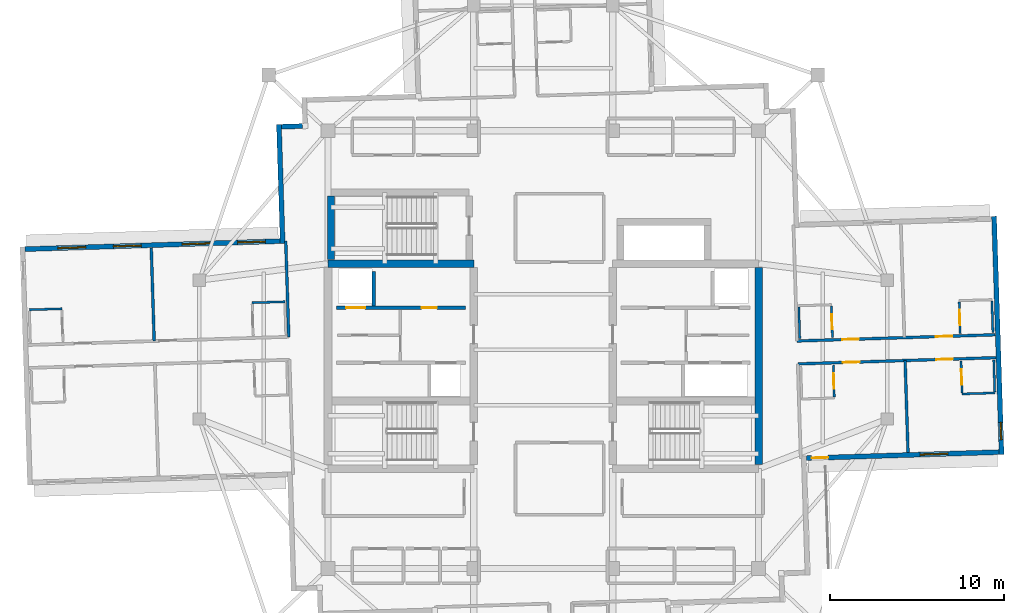
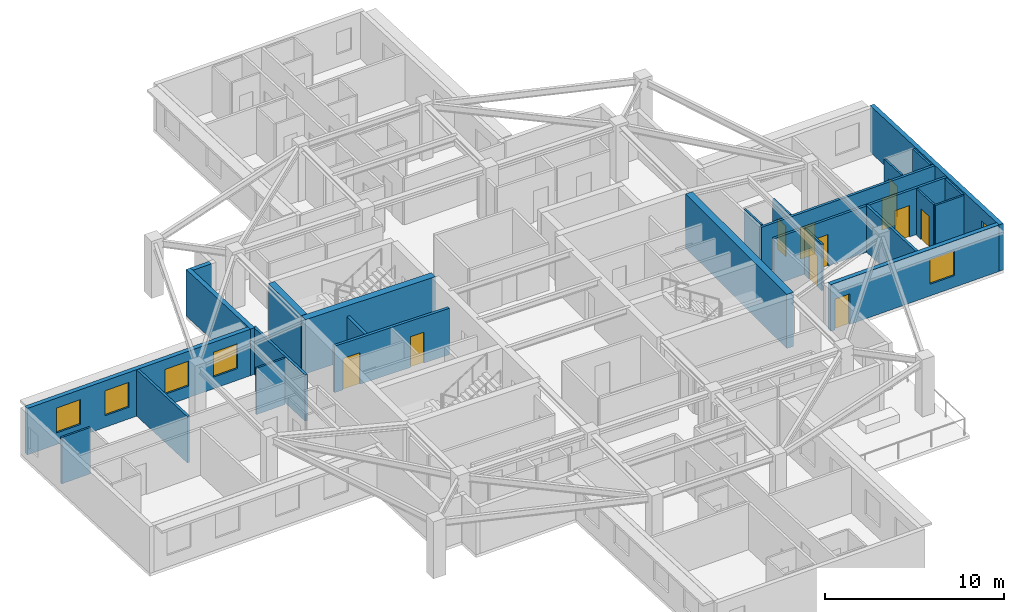
# One storey, part 6 of 13: 25 walls, 11 doors, 6 windows, 17 openings.
"""IFC4 building model written with IfcOpenShell, lengths in metres."""

from ifc_helpers import new_model, si_unit, direction, frame, frame_2d, origin, place, context, subcontext, project, spatial, rectangle, extrude, material, layer, layer_set, type_object, element, fill, save


model = new_model("IFC4")

# Units and contexts
model_context = context("Model", 3, precision=1e-05, world=origin(), true_north=direction((0.0, 1.0)))
body_context = subcontext(model_context, "Body", "Model", "MODEL_VIEW")
ifc_project = project(units=[si_unit("LENGTHUNIT", "METRE"), si_unit("AREAUNIT", "SQUARE_METRE"), si_unit("VOLUMEUNIT", "CUBIC_METRE"), si_unit("PLANEANGLEUNIT", "RADIAN"), si_unit("MASSUNIT", "GRAM", prefix="KILO")], contexts=[model_context])

# Site, building, storey
site_placement = place(None, origin())
site = spatial("IfcSite", under=ifc_project, at=site_placement, CompositionType="ELEMENT")
building_placement = place(site_placement, origin())
building = spatial("IfcBuilding", under=site, at=building_placement, Name="Qingluan Cross Belvedere", CompositionType="ELEMENT")
storey_placement = place(building_placement, frame((0.0, 0.0, 273.300048828125)))
storey = spatial("IfcBuildingStorey", under=building, at=storey_placement, Name="L68", CompositionType="ELEMENT", Elevation=273.300048828125)

# Walls
ifc_material_1 = material(Name="Concrete C50", Category="concrete")
ifc_layer_1 = layer(ifc_material_1, 0.449951171875, Name="CoreShearWall_450")
ifc_layer_set_1 = layer_set([ifc_layer_1], Name="Concrete C50")
wall_type_1 = type_object("IfcWallType", Name="CoreShearWall_450", PredefinedType="SHEAR", material=ifc_layer_set_1)
wall_1_placement = place(storey_placement, frame((-12.39990234375, 4.949951171875, 0.0), z_axis=(0.0, 0.0, 1.0), x_axis=(1.0, 0.0, 0.0)))
element("IfcWall", 1, at=wall_1_placement, inside=storey, type_object=wall_type_1, Name="Split core W shear wall L68-N", PredefinedType="SHEAR", context=body_context, shape_type="SweptSolid", body=[
    extrude(rectangle(XDim=8.39990234375, YDim=0.449951171875, at=frame_2d((4.199951171875, 0.0))), origin(), (0.0, 0.0, 1.0), 3.699951171875),
])
wall_2_placement = place(storey_placement, frame((12.39990234375, -6.6201171875, 0.0), z_axis=(0.0, 0.0, 1.0), x_axis=(0.0, 1.0, 0.0)))
element("IfcWall", 2, at=wall_2_placement, inside=storey, type_object=wall_type_1, Name="Split core E shear wall L68-E", PredefinedType="SHEAR", context=body_context, shape_type="SweptSolid", body=[
    extrude(rectangle(XDim=11.340087890625, YDim=0.449951171875, at=frame_2d((5.669921875, 0.0))), origin(), (0.0, 0.0, 1.0), 3.699951171875),
])
wall_3_placement = place(storey_placement, frame((-12.219970703125, 5.179931640625, 0.0), z_axis=(0.0, 0.0, 1.0), x_axis=(0.0, 1.0, 0.0)))
element("IfcWall", 3, at=wall_3_placement, inside=storey, type_object=wall_type_1, Name="Stair ST3 structural wall W L68", PredefinedType="SHEAR", context=body_context, shape_type="SweptSolid", body=[
    extrude(rectangle(XDim=3.655029296875, YDim=0.39990234375, at=frame_2d((1.82763671875, 0.0))), origin(), (0.0, 0.0, 1.0), 3.699951171875),
])

# Wall, openings, doors
ifc_material_2 = material(Name="Gypsum plasterboard on steel stud acoustic partition", Category="steel")
ifc_layer_2 = layer(ifc_material_2, 0.159912109375, Name="CorridorPartition_160")
ifc_layer_set_2 = layer_set([ifc_layer_2], Name="Gypsum plasterboard on steel stud acoustic partition")
wall_type_2 = type_object("IfcWallType", Name="CorridorPartition_160", PredefinedType="PARTITIONING", material=ifc_layer_set_2)
wall_4_placement = place(storey_placement, frame((14.611572265625, 0.499267578125, 0.0), z_axis=(0.0, 0.0, 1.0), x_axis=(0.999506718293, 0.031405733357, 0.0)))
wall_4 = element("IfcWall", 4, at=wall_4_placement, inside=storey, type_object=wall_type_2, Name="Partition L68:E:c0", PredefinedType="PARTITIONING", context=body_context, shape_type="SweptSolid", body=[
    extrude(rectangle(XDim=11.411865234375, YDim=0.159912109375, at=frame_2d((5.7060546875, 0.0))), origin(), (0.0, 0.0, 1.0), 3.169921875),
])
opening_1_placement = place(wall_4_placement, frame((2.597900390625, 0.0, 0.0)))
opening_1 = element("IfcOpeningElement", 5, at=opening_1_placement, cuts=wall_4, Name="Opening GD-10", PredefinedType="OPENING", context=body_context, shape_type="SweptSolid", body=[
    extrude(rectangle(XDim=0.9599609375, YDim=2.14990234375, at=frame_2d((0.47998046875, 1.074951171875))), frame((0.0, 0.08984375, 0.0), z_axis=(0.0, -1.0, 0.0), x_axis=(1.0, 0.0, 0.0)), (0.0, 0.0, 1.0), 0.179931640625),
])
opening_2_placement = place(wall_4_placement, frame((7.97412109375, 0.0, 0.0)))
opening_2 = element("IfcOpeningElement", 6, at=opening_2_placement, cuts=wall_4, Name="Opening GD-10", PredefinedType="OPENING", context=body_context, shape_type="SweptSolid", body=[
    extrude(rectangle(XDim=0.9599609375, YDim=2.14990234375, at=frame_2d((0.47998046875, 1.074951171875))), frame((0.0, 0.08984375, 0.0), z_axis=(0.0, -1.0, 0.0), x_axis=(1.0, 0.0, 0.0)), (0.0, 0.0, 1.0), 0.179931640625),
])
ifc_material_3 = material(Name="Timber oak fire-rated acoustic guestroom door", Category="wood")
door_type_1 = type_object("IfcDoorType", Name="GuestEntryDoor_FD60", OperationType="NOTDEFINED", PredefinedType="DOOR", material=ifc_material_3)
door_1_placement = place(opening_1_placement, origin())
door_1 = element("IfcDoor", 7, at=door_1_placement, inside=storey, type_object=door_type_1, Name="Guest entry fire door 6801", OperationType="SINGLE_SWING_LEFT", OverallHeight=2.14990234375, OverallWidth=0.9599609375, PredefinedType="DOOR", context=body_context, shape_type="SweptSolid", body=[
    extrude(rectangle(XDim=0.9599609375, YDim=2.14990234375, at=frame_2d((0.47998046875, 1.074951171875))), frame((0.0, 0.02490234375, 0.0), z_axis=(0.0, -1.0, 0.0), x_axis=(1.0, 0.0, 0.0)), (0.0, 0.0, 1.0), 0.050048828125),
])
fill(opening_1, door_1)
door_2_placement = place(opening_2_placement, origin())
door_2 = element("IfcDoor", 8, at=door_2_placement, inside=storey, type_object=door_type_1, Name="Guest entry fire door 6802", OperationType="SINGLE_SWING_LEFT", OverallHeight=2.14990234375, OverallWidth=0.9599609375, PredefinedType="DOOR", context=body_context, shape_type="SweptSolid", body=[
    extrude(rectangle(XDim=0.9599609375, YDim=2.14990234375, at=frame_2d((0.47998046875, 1.074951171875))), frame((0.0, 0.02490234375, 0.0), z_axis=(0.0, -1.0, 0.0), x_axis=(1.0, 0.0, 0.0)), (0.0, 0.0, 1.0), 0.050048828125),
])
fill(opening_2, door_2)

wall_5_placement = place(storey_placement, frame((14.653076171875, -0.820068359375, 0.0), z_axis=(0.0, 0.0, 1.0), x_axis=(0.999506718293, 0.031405733357, 0.0)))
wall_5 = element("IfcWall", 9, at=wall_5_placement, inside=storey, type_object=wall_type_2, Name="Partition L68:E:c1", PredefinedType="PARTITIONING", context=body_context, shape_type="SweptSolid", body=[
    extrude(rectangle(XDim=11.411865234375, YDim=0.159912109375, at=frame_2d((5.7060546875, 0.0))), origin(), (0.0, 0.0, 1.0), 3.169921875),
])
opening_3_placement = place(wall_5_placement, frame((2.597900390625, 0.0, 0.0)))
opening_3 = element("IfcOpeningElement", 10, at=opening_3_placement, cuts=wall_5, Name="Opening GD-10", PredefinedType="OPENING", context=body_context, shape_type="SweptSolid", body=[
    extrude(rectangle(XDim=0.9599609375, YDim=2.14990234375, at=frame_2d((0.47998046875, 1.074951171875))), frame((0.0, 0.08984375, 0.0), z_axis=(0.0, -1.0, 0.0), x_axis=(1.0, 0.0, 0.0)), (0.0, 0.0, 1.0), 0.179931640625),
])
opening_4_placement = place(wall_5_placement, frame((7.97412109375, 0.0, 0.0)))
opening_4 = element("IfcOpeningElement", 11, at=opening_4_placement, cuts=wall_5, Name="Opening GD-10", PredefinedType="OPENING", context=body_context, shape_type="SweptSolid", body=[
    extrude(rectangle(XDim=0.9599609375, YDim=2.14990234375, at=frame_2d((0.47998046875, 1.074951171875))), frame((0.0, 0.08984375, 0.0), z_axis=(0.0, -1.0, 0.0), x_axis=(1.0, 0.0, 0.0)), (0.0, 0.0, 1.0), 0.179931640625),
])
door_3_placement = place(opening_3_placement, origin())
door_3 = element("IfcDoor", 12, at=door_3_placement, inside=storey, type_object=door_type_1, Name="Guest entry fire door 6803", OperationType="SINGLE_SWING_LEFT", OverallHeight=2.14990234375, OverallWidth=0.9599609375, PredefinedType="DOOR", context=body_context, shape_type="SweptSolid", body=[
    extrude(rectangle(XDim=0.9599609375, YDim=2.14990234375, at=frame_2d((0.47998046875, 1.074951171875))), frame((0.0, 0.02490234375, 0.0), z_axis=(0.0, -1.0, 0.0), x_axis=(1.0, 0.0, 0.0)), (0.0, 0.0, 1.0), 0.050048828125),
])
fill(opening_3, door_3)
door_4_placement = place(opening_4_placement, origin())
door_4 = element("IfcDoor", 13, at=door_4_placement, inside=storey, type_object=door_type_1, Name="Guest entry fire door 6804", OperationType="SINGLE_SWING_LEFT", OverallHeight=2.14990234375, OverallWidth=0.9599609375, PredefinedType="DOOR", context=body_context, shape_type="SweptSolid", body=[
    extrude(rectangle(XDim=0.9599609375, YDim=2.14990234375, at=frame_2d((0.47998046875, 1.074951171875))), frame((0.0, 0.02490234375, 0.0), z_axis=(0.0, -1.0, 0.0), x_axis=(1.0, 0.0, 0.0)), (0.0, 0.0, 1.0), 0.050048828125),
])
fill(opening_4, door_4)

# Walls
wall_6_placement = place(storey_placement, frame((20.829833984375, -0.6259765625, 0.0), z_axis=(0.0, 0.0, 1.0), x_axis=(0.03141766996, -0.999506343159, 0.0)))
element("IfcWall", 14, at=wall_6_placement, inside=storey, type_object=wall_type_2, Name="Partition L68:E:d1_0", PredefinedType="PARTITIONING", context=body_context, shape_type="SweptSolid", body=[
    extrude(rectangle(XDim=5.2919921875, YDim=0.159912109375, at=frame_2d((2.64599609375, 0.0))), origin(), (0.0, 0.0, 1.0), 3.169921875),
])
wall_7_placement = place(storey_placement, frame((-14.650390625, 0.740234375, 0.0), z_axis=(0.0, 0.0, 1.0), x_axis=(-0.031446009838, 0.999505451944, 0.0)))
element("IfcWall", 15, at=wall_7_placement, inside=storey, type_object=wall_type_2, Name="Partition L68:W:s0", PredefinedType="PARTITIONING", context=body_context, shape_type="SweptSolid", body=[
    extrude(rectangle(XDim=5.52001953125, YDim=0.159912109375, at=frame_2d((2.760009765625, 0.0))), origin(), (0.0, 0.0, 1.0), 3.169921875),
])
wall_8_placement = place(storey_placement, frame((-22.396728515625, 0.49658203125, 0.0), z_axis=(0.0, 0.0, 1.0), x_axis=(-0.031402165127, 0.999506830405, 0.0)))
element("IfcWall", 16, at=wall_8_placement, inside=storey, type_object=wall_type_2, Name="Partition L68:W:d0_0", PredefinedType="PARTITIONING", context=body_context, shape_type="SweptSolid", body=[
    extrude(rectangle(XDim=5.372314453125, YDim=0.159912109375, at=frame_2d((2.68603515625, 0.0))), origin(), (0.0, 0.0, 1.0), 3.169921875),
])

# Wall, opening, door
ifc_material_4 = material(Name="Moisture-resistant gypsum board lining")
ifc_layer_3 = layer(ifc_material_4, 0.1201171875, Name="EnsuiteWetPartition_120")
ifc_layer_set_3 = layer_set([ifc_layer_3], Name="Moisture-resistant gypsum board lining")
wall_type_3 = type_object("IfcWallType", Name="EnsuiteWetPartition_120", PredefinedType="PARTITIONING", material=ifc_layer_set_3)
wall_9_placement = place(storey_placement, frame((16.64599609375, 0.703125, 0.0), z_axis=(0.0, 0.0, 1.0), x_axis=(-0.031255692016, 0.999511421504, 0.0)))
wall_9 = element("IfcWall", 17, at=wall_9_placement, inside=storey, type_object=wall_type_3, Name="Partition L68:E:bs0_0", PredefinedType="PARTITIONING", context=body_context, shape_type="SweptSolid", body=[
    extrude(rectangle(XDim=1.820068359375, YDim=0.1201171875, at=frame_2d((0.91015625, 0.0))), origin(), (0.0, 0.0, 1.0), 3.169921875),
])
opening_5_placement = place(wall_9_placement, frame((0.469970703125, 0.0, 0.0)))
opening_5 = element("IfcOpeningElement", 18, at=opening_5_placement, cuts=wall_9, Name="Opening BD-09", PredefinedType="OPENING", context=body_context, shape_type="SweptSolid", body=[
    extrude(rectangle(XDim=0.8798828125, YDim=2.10009765625, at=frame_2d((0.43994140625, 1.050048828125))), frame((0.0, 0.070068359375, 0.0), z_axis=(0.0, -1.0, 0.0), x_axis=(1.0, 0.0, 0.0)), (0.0, 0.0, 1.0), 0.14013671875),
])
ifc_material_5 = material(Name="Moisture-sealed timber en-suite door", Category="wood")
door_type_2 = type_object("IfcDoorType", Name="BathroomDoor_880", OperationType="NOTDEFINED", PredefinedType="DOOR", material=ifc_material_5)
door_5_placement = place(opening_5_placement, origin())
door_5 = element("IfcDoor", 19, at=door_5_placement, inside=storey, type_object=door_type_2, Name="Bathroom door 6801", OperationType="SINGLE_SWING_RIGHT", OverallHeight=2.10009765625, OverallWidth=0.8798828125, PredefinedType="DOOR", context=body_context, shape_type="SweptSolid", body=[
    extrude(rectangle(XDim=0.8798828125, YDim=2.10009765625, at=frame_2d((0.43994140625, 1.050048828125))), frame((0.0, 0.02490234375, 0.0), z_axis=(0.0, -1.0, 0.0), x_axis=(1.0, 0.0, 0.0)), (0.0, 0.0, 1.0), 0.050048828125),
])
fill(opening_5, door_5)

# Wall
wall_10_placement = place(storey_placement, frame((14.76708984375, 0.644287109375, 0.0), z_axis=(0.0, 0.0, 1.0), x_axis=(-0.031389704724, 0.999507221803, 0.0)))
element("IfcWall", 20, at=wall_10_placement, inside=storey, type_object=wall_type_3, Name="Partition L68:E:bw0_0", PredefinedType="PARTITIONING", context=body_context, shape_type="SweptSolid", body=[
    extrude(rectangle(XDim=1.820068359375, YDim=0.1201171875, at=frame_2d((0.91015625, 0.0))), origin(), (0.0, 0.0, 1.0), 3.169921875),
])

# Wall, opening, door
wall_11_placement = place(storey_placement, frame((24.00244140625, 0.934326171875, 0.0), z_axis=(0.0, 0.0, 1.0), x_axis=(-0.031389704724, 0.999507221803, 0.0)))
wall_11 = element("IfcWall", 21, at=wall_11_placement, inside=storey, type_object=wall_type_3, Name="Partition L68:E:bs0_1", PredefinedType="PARTITIONING", context=body_context, shape_type="SweptSolid", body=[
    extrude(rectangle(XDim=1.820068359375, YDim=0.1201171875, at=frame_2d((0.91015625, 0.0))), origin(), (0.0, 0.0, 1.0), 3.169921875),
])
opening_6_placement = place(wall_11_placement, frame((0.469970703125, 0.0, 0.0)))
opening_6 = element("IfcOpeningElement", 22, at=opening_6_placement, cuts=wall_11, Name="Opening BD-09", PredefinedType="OPENING", context=body_context, shape_type="SweptSolid", body=[
    extrude(rectangle(XDim=0.8798828125, YDim=2.10009765625, at=frame_2d((0.43994140625, 1.050048828125))), frame((0.0, 0.070068359375, 0.0), z_axis=(0.0, -1.0, 0.0), x_axis=(1.0, 0.0, 0.0)), (0.0, 0.0, 1.0), 0.14013671875),
])
door_6_placement = place(opening_6_placement, origin())
door_6 = element("IfcDoor", 23, at=door_6_placement, inside=storey, type_object=door_type_2, Name="Bathroom door 6802", OperationType="SINGLE_SWING_RIGHT", OverallHeight=2.10009765625, OverallWidth=0.8798828125, PredefinedType="DOOR", context=body_context, shape_type="SweptSolid", body=[
    extrude(rectangle(XDim=0.8798828125, YDim=2.10009765625, at=frame_2d((0.43994140625, 1.050048828125))), frame((0.0, 0.02490234375, 0.0), z_axis=(0.0, -1.0, 0.0), x_axis=(1.0, 0.0, 0.0)), (0.0, 0.0, 1.0), 0.050048828125),
])
fill(opening_6, door_6)

# Wall
wall_12_placement = place(storey_placement, frame((25.881591796875, 0.993408203125, 0.0), z_axis=(0.0, 0.0, 1.0), x_axis=(-0.031389704724, 0.999507221803, 0.0)))
element("IfcWall", 24, at=wall_12_placement, inside=storey, type_object=wall_type_3, Name="Partition L68:E:bw0_1", PredefinedType="PARTITIONING", context=body_context, shape_type="SweptSolid", body=[
    extrude(rectangle(XDim=1.820068359375, YDim=0.1201171875, at=frame_2d((0.91015625, 0.0))), origin(), (0.0, 0.0, 1.0), 3.169921875),
])

# Wall, opening, door
wall_13_placement = place(storey_placement, frame((16.753662109375, -2.715087890625, 0.0), z_axis=(0.0, 0.0, 1.0), x_axis=(-0.03152371574, 0.999503004171, 0.0)))
wall_13 = element("IfcWall", 25, at=wall_13_placement, inside=storey, type_object=wall_type_3, Name="Partition L68:E:bs1_0", PredefinedType="PARTITIONING", context=body_context, shape_type="SweptSolid", body=[
    extrude(rectangle(XDim=1.820068359375, YDim=0.1201171875, at=frame_2d((0.91015625, 0.0))), origin(), (0.0, 0.0, 1.0), 3.169921875),
])
opening_7_placement = place(wall_13_placement, frame((0.469970703125, 0.0, 0.0)))
opening_7 = element("IfcOpeningElement", 26, at=opening_7_placement, cuts=wall_13, Name="Opening BD-09", PredefinedType="OPENING", context=body_context, shape_type="SweptSolid", body=[
    extrude(rectangle(XDim=0.8798828125, YDim=2.10009765625, at=frame_2d((0.43994140625, 1.050048828125))), frame((0.0, 0.070068359375, 0.0), z_axis=(0.0, -1.0, 0.0), x_axis=(1.0, 0.0, 0.0)), (0.0, 0.0, 1.0), 0.14013671875),
])
door_7_placement = place(opening_7_placement, origin())
door_7 = element("IfcDoor", 27, at=door_7_placement, inside=storey, type_object=door_type_2, Name="Bathroom door 6803", OperationType="SINGLE_SWING_RIGHT", OverallHeight=2.10009765625, OverallWidth=0.8798828125, PredefinedType="DOOR", context=body_context, shape_type="SweptSolid", body=[
    extrude(rectangle(XDim=0.8798828125, YDim=2.10009765625, at=frame_2d((0.43994140625, 1.050048828125))), frame((0.0, 0.02490234375, 0.0), z_axis=(0.0, -1.0, 0.0), x_axis=(1.0, 0.0, 0.0)), (0.0, 0.0, 1.0), 0.050048828125),
])
fill(opening_7, door_7)

wall_14_placement = place(storey_placement, frame((24.10986328125, -2.48388671875, 0.0), z_axis=(0.0, 0.0, 1.0), x_axis=(-0.031389704724, 0.999507221803, 0.0)))
wall_14 = element("IfcWall", 28, at=wall_14_placement, inside=storey, type_object=wall_type_3, Name="Partition L68:E:bs1_1", PredefinedType="PARTITIONING", context=body_context, shape_type="SweptSolid", body=[
    extrude(rectangle(XDim=1.820068359375, YDim=0.1201171875, at=frame_2d((0.91015625, 0.0))), origin(), (0.0, 0.0, 1.0), 3.169921875),
])
opening_8_placement = place(wall_14_placement, frame((0.469970703125, 0.0, 0.0)))
opening_8 = element("IfcOpeningElement", 29, at=opening_8_placement, cuts=wall_14, Name="Opening BD-09", PredefinedType="OPENING", context=body_context, shape_type="SweptSolid", body=[
    extrude(rectangle(XDim=0.8798828125, YDim=2.10009765625, at=frame_2d((0.43994140625, 1.050048828125))), frame((0.0, 0.070068359375, 0.0), z_axis=(0.0, -1.0, 0.0), x_axis=(1.0, 0.0, 0.0)), (0.0, 0.0, 1.0), 0.14013671875),
])
door_8_placement = place(opening_8_placement, origin())
door_8 = element("IfcDoor", 30, at=door_8_placement, inside=storey, type_object=door_type_2, Name="Bathroom door 6804", OperationType="SINGLE_SWING_RIGHT", OverallHeight=2.10009765625, OverallWidth=0.8798828125, PredefinedType="DOOR", context=body_context, shape_type="SweptSolid", body=[
    extrude(rectangle(XDim=0.8798828125, YDim=2.10009765625, at=frame_2d((0.43994140625, 1.050048828125))), frame((0.0, 0.02490234375, 0.0), z_axis=(0.0, -1.0, 0.0), x_axis=(1.0, 0.0, 0.0)), (0.0, 0.0, 1.0), 0.050048828125),
])
fill(opening_8, door_8)

# Walls
wall_15_placement = place(storey_placement, frame((25.989013671875, -2.4248046875, 0.0), z_axis=(0.0, 0.0, 1.0), x_axis=(-0.031389704724, 0.999507221803, 0.0)))
element("IfcWall", 31, at=wall_15_placement, inside=storey, type_object=wall_type_3, Name="Partition L68:E:bw1_1", PredefinedType="PARTITIONING", context=body_context, shape_type="SweptSolid", body=[
    extrude(rectangle(XDim=1.820068359375, YDim=0.1201171875, at=frame_2d((0.91015625, 0.0))), origin(), (0.0, 0.0, 1.0), 3.169921875),
])
wall_16_placement = place(storey_placement, frame((24.112060546875, -2.548828125, 0.0), z_axis=(0.0, 0.0, 1.0), x_axis=(0.999505975261, 0.031429371883, 0.0)))
element("IfcWall", 32, at=wall_16_placement, inside=storey, type_object=wall_type_3, Name="Partition L68:E:bc1_1", PredefinedType="PARTITIONING", context=body_context, shape_type="SweptSolid", body=[
    extrude(rectangle(XDim=1.8798828125, YDim=0.1201171875, at=frame_2d((0.93994140625, 0.0))), origin(), (0.0, 0.0, 1.0), 3.169921875),
])
wall_17_placement = place(storey_placement, frame((-14.8740234375, 2.75927734375, 0.0), z_axis=(0.0, 0.0, 1.0), x_axis=(-0.999506103526, -0.031425292588, 0.0)))
element("IfcWall", 33, at=wall_17_placement, inside=storey, type_object=wall_type_3, Name="Partition L68:W:bn0_0", PredefinedType="PARTITIONING", context=body_context, shape_type="SweptSolid", body=[
    extrude(rectangle(XDim=1.880126953125, YDim=0.1201171875, at=frame_2d((0.93994140625, 0.0))), origin(), (0.0, 0.0, 1.0), 3.169921875),
])
wall_18_placement = place(storey_placement, frame((-27.707763671875, 2.355712890625, 0.0), z_axis=(0.0, 0.0, 1.0), x_axis=(-0.999510046681, -0.031299625942, 0.0)))
element("IfcWall", 34, at=wall_18_placement, inside=storey, type_object=wall_type_3, Name="Partition L68:W:bn0_1", PredefinedType="PARTITIONING", context=body_context, shape_type="SweptSolid", body=[
    extrude(rectangle(XDim=1.8798828125, YDim=0.1201171875, at=frame_2d((0.93994140625, 0.0))), origin(), (0.0, 0.0, 1.0), 3.169921875),
])

# Wall, openings, window, door
ifc_material_6 = material(Name="Precast concrete C45", Category="concrete")
ifc_layer_4 = layer(ifc_material_6, 0.280029296875, Name="PrecastFacadeWall_280")
ifc_layer_set_4 = layer_set([ifc_layer_4], Name="Precast concrete C45")
wall_type_4 = type_object("IfcWallType", Name="PrecastFacadeWall_280", PredefinedType="STANDARD", material=ifc_layer_set_4)
wall_19_placement = place(storey_placement, frame((15.143798828125, -6.247314453125, 0.0), z_axis=(0.0, 0.0, 1.0), x_axis=(0.999506632046, 0.031408478106, 0.0)))
wall_19 = element("IfcWall", 35, at=wall_19_placement, inside=storey, type_object=wall_type_4, Name="Facade wall L68-EA", PredefinedType="STANDARD", context=body_context, shape_type="SweptSolid", body=[
    extrude(rectangle(XDim=11.099853515625, YDim=0.280029296875, at=frame_2d((5.5498046875, 0.0))), origin(), (0.0, 0.0, 1.0), 3.179931640625),
])
opening_9_placement = place(wall_19_placement, frame((6.550048828125, 0.0, 0.800048828125)))
opening_9 = element("IfcOpeningElement", 36, at=opening_9_placement, cuts=wall_19, Name="Opening W-04", PredefinedType="OPENING", context=body_context, shape_type="SweptSolid", body=[
    extrude(rectangle(XDim=1.60009765625, YDim=1.699951171875, at=frame_2d((0.800048828125, 0.85009765625))), frame((0.0, 0.14990234375, 0.0), z_axis=(0.0, -1.0, 0.0), x_axis=(1.0, 0.0, 0.0)), (0.0, 0.0, 1.0), 0.300048828125),
])
opening_10_placement = place(wall_19_placement, frame((0.300048828125, 0.0, 0.0)))
opening_10 = element("IfcOpeningElement", 37, at=opening_10_placement, cuts=wall_19, Name="Opening WD-10", PredefinedType="OPENING", context=body_context, shape_type="SweptSolid", body=[
    extrude(rectangle(XDim=0.9599609375, YDim=2.10009765625, at=frame_2d((0.47998046875, 1.050048828125))), frame((0.0, 0.14990234375, 0.0), z_axis=(0.0, -1.0, 0.0), x_axis=(1.0, 0.0, 0.0)), (0.0, 0.0, 1.0), 0.300048828125),
])
ifc_material_7 = material(Name="Thermally broken triple Low-E glass in aluminium frame", Category="aluminium")
window_type_1 = type_object("IfcWindowType", Name="SuiteCornerWin_1600x1700", PartitioningType="SINGLE_PANEL", PredefinedType="WINDOW", material=ifc_material_7)
window_1_placement = place(opening_9_placement, origin())
window_1 = element("IfcWindow", 38, at=window_1_placement, inside=storey, type_object=window_type_1, Name="Ribbon window L68-EA-2", OverallHeight=1.699951171875, OverallWidth=1.60009765625, PartitioningType="SINGLE_PANEL", PredefinedType="WINDOW", context=body_context, shape_type="SweptSolid", body=[
    extrude(rectangle(XDim=1.60009765625, YDim=1.699951171875, at=frame_2d((0.800048828125, 0.85009765625))), frame((0.0, 0.030029296875, 0.0), z_axis=(0.0, -1.0, 0.0), x_axis=(1.0, 0.0, 0.0)), (0.0, 0.0, 1.0), 0.06005859375),
])
fill(opening_9, window_1)
ifc_material_8 = material(Name="Thermally broken aluminium and Low-E glass", Category="aluminium")
door_type_3 = type_object("IfcDoorType", Name="WinterGardenDoor_096", OperationType="NOTDEFINED", PredefinedType="DOOR", material=ifc_material_8)
door_9_placement = place(opening_10_placement, origin())
door_9 = element("IfcDoor", 39, at=door_9_placement, inside=storey, type_object=door_type_3, Name="Outdoor terrace access door L68-spi", OperationType="SINGLE_SWING_LEFT", OverallHeight=2.10009765625, OverallWidth=0.9599609375, PredefinedType="DOOR", context=body_context, shape_type="SweptSolid", body=[
    extrude(rectangle(XDim=0.9599609375, YDim=2.10009765625, at=frame_2d((0.47998046875, 1.050048828125))), frame((0.0, 0.02490234375, 0.0), z_axis=(0.0, -1.0, 0.0), x_axis=(1.0, 0.0, 0.0)), (0.0, 0.0, 1.0), 0.050048828125),
])
fill(opening_10, door_9)

# Wall, opening, window
wall_20_placement = place(storey_placement, frame((26.382568359375, -6.0341796875, 0.0), z_axis=(0.0, 0.0, 1.0), x_axis=(-0.031407524763, 0.999506662003, 0.0)))
wall_20 = element("IfcWall", 40, at=wall_20_placement, inside=storey, type_object=wall_type_4, Name="Arm tip precast facade wall L68-E", PredefinedType="STANDARD", context=body_context, shape_type="SweptSolid", body=[
    extrude(rectangle(XDim=13.719970703125, YDim=0.280029296875, at=frame_2d((6.85986328125, 0.0))), origin(), (0.0, 0.0, 1.0), 3.179931640625),
])
opening_11_placement = place(wall_20_placement, frame((0.85009765625, 0.0, 0.85009765625)))
opening_11 = element("IfcOpeningElement", 41, at=opening_11_placement, cuts=wall_20, Name="Opening W-03", PredefinedType="OPENING", context=body_context, shape_type="SweptSolid", body=[
    extrude(rectangle(XDim=1.0, YDim=1.5, at=frame_2d((0.5, 0.75))), frame((0.0, 0.14990234375, 0.0), z_axis=(0.0, -1.0, 0.0), x_axis=(1.0, 0.0, 0.0)), (0.0, 0.0, 1.0), 0.300048828125),
])
ifc_material_9 = material(Name="Thermally broken triple Low-E glass in aluminium frame", Category="aluminium")
window_type_2 = type_object("IfcWindowType", Name="TriApexWin_1000x1500", PartitioningType="SINGLE_PANEL", PredefinedType="WINDOW", material=ifc_material_9)
window_2_placement = place(opening_11_placement, origin())
window_2 = element("IfcWindow", 42, at=window_2_placement, inside=storey, type_object=window_type_2, Name="Arm tip triangular window L68-E", OverallHeight=1.5, OverallWidth=1.0, PartitioningType="SINGLE_PANEL", PredefinedType="WINDOW", context=body_context, shape_type="SweptSolid", body=[
    extrude(rectangle(XDim=1.0, YDim=1.5, at=frame_2d((0.5, 0.75))), frame((0.0, 0.030029296875, 0.0), z_axis=(0.0, -1.0, 0.0), x_axis=(1.0, 0.0, 0.0)), (0.0, 0.0, 1.0), 0.06005859375),
])
fill(opening_11, window_2)

# Wall, openings, windows
wall_21_placement = place(storey_placement, frame((-15.143798828125, 6.247314453125, 0.0), z_axis=(0.0, 0.0, 1.0), x_axis=(-0.999506698073, -0.031406376864, 0.0)))
wall_21 = element("IfcWall", 43, at=wall_21_placement, inside=storey, type_object=wall_type_4, Name="Facade wall L68-WA", PredefinedType="STANDARD", context=body_context, shape_type="SweptSolid", body=[
    extrude(rectangle(XDim=14.699951171875, YDim=0.280029296875, at=frame_2d((7.35009765625, 0.0))), origin(), (0.0, 0.0, 1.0), 3.179931640625),
])
opening_12_placement = place(wall_21_placement, frame((0.85009765625, 0.0, 0.800048828125)))
opening_12 = element("IfcOpeningElement", 44, at=opening_12_placement, cuts=wall_21, Name="Opening W-04", PredefinedType="OPENING", context=body_context, shape_type="SweptSolid", body=[
    extrude(rectangle(XDim=1.60009765625, YDim=1.699951171875, at=frame_2d((0.800048828125, 0.85009765625))), frame((0.0, 0.14990234375, 0.0), z_axis=(0.0, -1.0, 0.0), x_axis=(1.0, 0.0, 0.0)), (0.0, 0.0, 1.0), 0.300048828125),
])
opening_13_placement = place(wall_21_placement, frame((4.050048828125, 0.0, 0.800048828125)))
opening_13 = element("IfcOpeningElement", 45, at=opening_13_placement, cuts=wall_21, Name="Opening W-04", PredefinedType="OPENING", context=body_context, shape_type="SweptSolid", body=[
    extrude(rectangle(XDim=1.60009765625, YDim=1.699951171875, at=frame_2d((0.800048828125, 0.85009765625))), frame((0.0, 0.14990234375, 0.0), z_axis=(0.0, -1.0, 0.0), x_axis=(1.0, 0.0, 0.0)), (0.0, 0.0, 1.0), 0.300048828125),
])
opening_14_placement = place(wall_21_placement, frame((8.0, 0.0, 0.800048828125)))
opening_14 = element("IfcOpeningElement", 46, at=opening_14_placement, cuts=wall_21, Name="Opening W-04", PredefinedType="OPENING", context=body_context, shape_type="SweptSolid", body=[
    extrude(rectangle(XDim=1.60009765625, YDim=1.699951171875, at=frame_2d((0.800048828125, 0.85009765625))), frame((0.0, 0.14990234375, 0.0), z_axis=(0.0, -1.0, 0.0), x_axis=(1.0, 0.0, 0.0)), (0.0, 0.0, 1.0), 0.300048828125),
])
opening_15_placement = place(wall_21_placement, frame((11.199951171875, 0.0, 0.800048828125)))
opening_15 = element("IfcOpeningElement", 47, at=opening_15_placement, cuts=wall_21, Name="Opening W-04", PredefinedType="OPENING", context=body_context, shape_type="SweptSolid", body=[
    extrude(rectangle(XDim=1.60009765625, YDim=1.699951171875, at=frame_2d((0.800048828125, 0.85009765625))), frame((0.0, 0.14990234375, 0.0), z_axis=(0.0, -1.0, 0.0), x_axis=(1.0, 0.0, 0.0)), (0.0, 0.0, 1.0), 0.300048828125),
])
window_3_placement = place(opening_12_placement, origin())
window_3 = element("IfcWindow", 48, at=window_3_placement, inside=storey, type_object=window_type_1, Name="Ribbon window L68-WA-1", OverallHeight=1.699951171875, OverallWidth=1.60009765625, PartitioningType="SINGLE_PANEL", PredefinedType="WINDOW", context=body_context, shape_type="SweptSolid", body=[
    extrude(rectangle(XDim=1.60009765625, YDim=1.699951171875, at=frame_2d((0.800048828125, 0.85009765625))), frame((0.0, 0.030029296875, 0.0), z_axis=(0.0, -1.0, 0.0), x_axis=(1.0, 0.0, 0.0)), (0.0, 0.0, 1.0), 0.06005859375),
])
fill(opening_12, window_3)
window_4_placement = place(opening_13_placement, origin())
window_4 = element("IfcWindow", 49, at=window_4_placement, inside=storey, type_object=window_type_1, Name="Ribbon window L68-WA-2", OverallHeight=1.699951171875, OverallWidth=1.60009765625, PartitioningType="SINGLE_PANEL", PredefinedType="WINDOW", context=body_context, shape_type="SweptSolid", body=[
    extrude(rectangle(XDim=1.60009765625, YDim=1.699951171875, at=frame_2d((0.800048828125, 0.85009765625))), frame((0.0, 0.030029296875, 0.0), z_axis=(0.0, -1.0, 0.0), x_axis=(1.0, 0.0, 0.0)), (0.0, 0.0, 1.0), 0.06005859375),
])
fill(opening_13, window_4)
window_5_placement = place(opening_14_placement, origin())
window_5 = element("IfcWindow", 50, at=window_5_placement, inside=storey, type_object=window_type_1, Name="Ribbon window L68-WA-3", OverallHeight=1.699951171875, OverallWidth=1.60009765625, PartitioningType="SINGLE_PANEL", PredefinedType="WINDOW", context=body_context, shape_type="SweptSolid", body=[
    extrude(rectangle(XDim=1.60009765625, YDim=1.699951171875, at=frame_2d((0.800048828125, 0.85009765625))), frame((0.0, 0.030029296875, 0.0), z_axis=(0.0, -1.0, 0.0), x_axis=(1.0, 0.0, 0.0)), (0.0, 0.0, 1.0), 0.06005859375),
])
fill(opening_14, window_5)
window_6_placement = place(opening_15_placement, origin())
window_6 = element("IfcWindow", 51, at=window_6_placement, inside=storey, type_object=window_type_1, Name="Ribbon window L68-WA-4", OverallHeight=1.699951171875, OverallWidth=1.60009765625, PartitioningType="SINGLE_PANEL", PredefinedType="WINDOW", context=body_context, shape_type="SweptSolid", body=[
    extrude(rectangle(XDim=1.60009765625, YDim=1.699951171875, at=frame_2d((0.800048828125, 0.85009765625))), frame((0.0, 0.030029296875, 0.0), z_axis=(0.0, -1.0, 0.0), x_axis=(1.0, 0.0, 0.0)), (0.0, 0.0, 1.0), 0.06005859375),
])
fill(opening_15, window_6)

# Walls
wall_22_placement = place(storey_placement, frame((-14.99951171875, 6.11181640625, 0.0), z_axis=(0.0, 0.0, 1.0), x_axis=(-0.031389189386, 0.999507237988, 0.0)))
element("IfcWall", 52, at=wall_22_placement, inside=storey, type_object=wall_type_4, Name="Corner wall L68-NW1", PredefinedType="STANDARD", context=body_context, shape_type="SweptSolid", body=[
    extrude(rectangle(XDim=6.860107421875, YDim=0.280029296875, at=frame_2d((3.43017578125, 0.0))), origin(), (0.0, 0.0, 1.0), 3.179931640625),
])
wall_23_placement = place(storey_placement, frame((-15.070556640625, 12.8330078125, 0.0), z_axis=(0.0, 0.0, 1.0), x_axis=(0.999506398264, 0.031415916822, 0.0)))
element("IfcWall", 53, at=wall_23_placement, inside=storey, type_object=wall_type_4, Name="Corner wall L68-NW2", PredefinedType="STANDARD", context=body_context, shape_type="SweptSolid", body=[
    extrude(rectangle(XDim=1.219970703125, YDim=0.280029296875, at=frame_2d((0.60986328125, 0.0))), origin(), (0.0, 0.0, 1.0), 3.179931640625),
])

# Wall, openings, doors
ifc_material_10 = material(Name="Concrete C40", Category="concrete")
ifc_layer_5 = layer(ifc_material_10, 0.219970703125, Name="ShaftEnclosureWall_250")
ifc_layer_set_5 = layer_set([ifc_layer_5], Name="Concrete C40")
wall_type_5 = type_object("IfcWallType", Name="ShaftEnclosureWall_250", PredefinedType="SOLIDWALL", material=ifc_layer_set_5)
wall_24_placement = place(storey_placement, frame((-11.89990234375, 2.409912109375, 0.0), z_axis=(0.0, 0.0, 1.0), x_axis=(1.0, 0.0, 0.0)))
wall_24 = element("IfcWall", 54, at=wall_24_placement, inside=storey, type_object=wall_type_5, Name="Core-W north hoistway wall L68", PredefinedType="SOLIDWALL", context=body_context, shape_type="SweptSolid", body=[
    extrude(rectangle(XDim=7.419921875, YDim=0.179931640625, at=frame_2d((3.7099609375, 0.0))), origin(), (0.0, 0.0, 1.0), 3.169921875),
])
opening_16_placement = place(wall_24_placement, frame((0.550048828125, 0.0, 0.0)))
opening_16 = element("IfcOpeningElement", 55, at=opening_16_placement, cuts=wall_24, Name="Opening LD-11", PredefinedType="OPENING", context=body_context, shape_type="SweptSolid", body=[
    extrude(rectangle(XDim=1.10009765625, YDim=2.14990234375, at=frame_2d((0.550048828125, 1.074951171875))), frame((0.0, 0.099853515625, 0.0), z_axis=(0.0, -1.0, 0.0), x_axis=(1.0, 0.0, 0.0)), (0.0, 0.0, 1.0), 0.199951171875),
])
opening_17_placement = place(wall_24_placement, frame((4.89990234375, 0.0, 0.0)))
opening_17 = element("IfcOpeningElement", 56, at=opening_17_placement, cuts=wall_24, Name="Opening FD-B10", PredefinedType="OPENING", context=body_context, shape_type="SweptSolid", body=[
    extrude(rectangle(XDim=0.8798828125, YDim=2.10009765625, at=frame_2d((0.43994140625, 1.050048828125))), frame((0.0, 0.099853515625, 0.0), z_axis=(0.0, -1.0, 0.0), x_axis=(1.0, 0.0, 0.0)), (0.0, 0.0, 1.0), 0.199951171875),
])
ifc_material_11 = material(Name="Brushed stainless steel centre-opening lift landing door", Category="steel")
door_type_4 = type_object("IfcDoorType", Name="LiftLandingSlidingDoor_1100", OperationType="DOUBLE_DOOR_SLIDING", PredefinedType="DOOR", material=ifc_material_11)
door_10_placement = place(opening_16_placement, origin())
door_10 = element("IfcDoor", 57, at=door_10_placement, inside=storey, type_object=door_type_4, Name="Lift landing sliding door FL1 L68", OperationType="DOUBLE_DOOR_SLIDING", OverallHeight=2.14990234375, OverallWidth=1.10009765625, PredefinedType="DOOR", context=body_context, shape_type="SweptSolid", body=[
    extrude(rectangle(XDim=1.10009765625, YDim=2.14990234375, at=frame_2d((0.550048828125, 1.074951171875))), frame((0.0, 0.02490234375, 0.0), z_axis=(0.0, -1.0, 0.0), x_axis=(1.0, 0.0, 0.0)), (0.0, 0.0, 1.0), 0.050048828125),
])
fill(opening_16, door_10)
ifc_material_12 = material(Name="Steel Class B service fire door", Category="steel")
door_type_5 = type_object("IfcDoorType", Name="RiserServiceFireDoor_FDB", OperationType="NOTDEFINED", PredefinedType="DOOR", material=ifc_material_12)
door_11_placement = place(opening_17_placement, origin())
door_11 = element("IfcDoor", 58, at=door_11_placement, inside=storey, type_object=door_type_5, Name="Housekeeping supply room door W L68", OperationType="SINGLE_SWING_LEFT", OverallHeight=2.10009765625, OverallWidth=0.8798828125, PredefinedType="DOOR", context=body_context, shape_type="SweptSolid", body=[
    extrude(rectangle(XDim=0.8798828125, YDim=2.10009765625, at=frame_2d((0.43994140625, 1.050048828125))), frame((0.0, 0.02490234375, 0.0), z_axis=(0.0, -1.0, 0.0), x_axis=(1.0, 0.0, 0.0)), (0.0, 0.0, 1.0), 0.050048828125),
])
fill(opening_17, door_11)

# Wall
wall_25_placement = place(storey_placement, frame((-9.760009765625, 2.5, 0.0), z_axis=(0.0, 0.0, 1.0), x_axis=(0.0, 1.0, 0.0)))
element("IfcWall", 59, at=wall_25_placement, inside=storey, type_object=wall_type_5, Name="Hoistway enclosure divider FL1E L68", PredefinedType="SOLIDWALL", context=body_context, shape_type="SweptSolid", body=[
    extrude(rectangle(XDim=1.989990234375, YDim=0.179931640625, at=frame_2d((0.9951171875, 0.0))), origin(), (0.0, 0.0, 1.0), 3.169921875),
])

save(model, "model.ifc")
